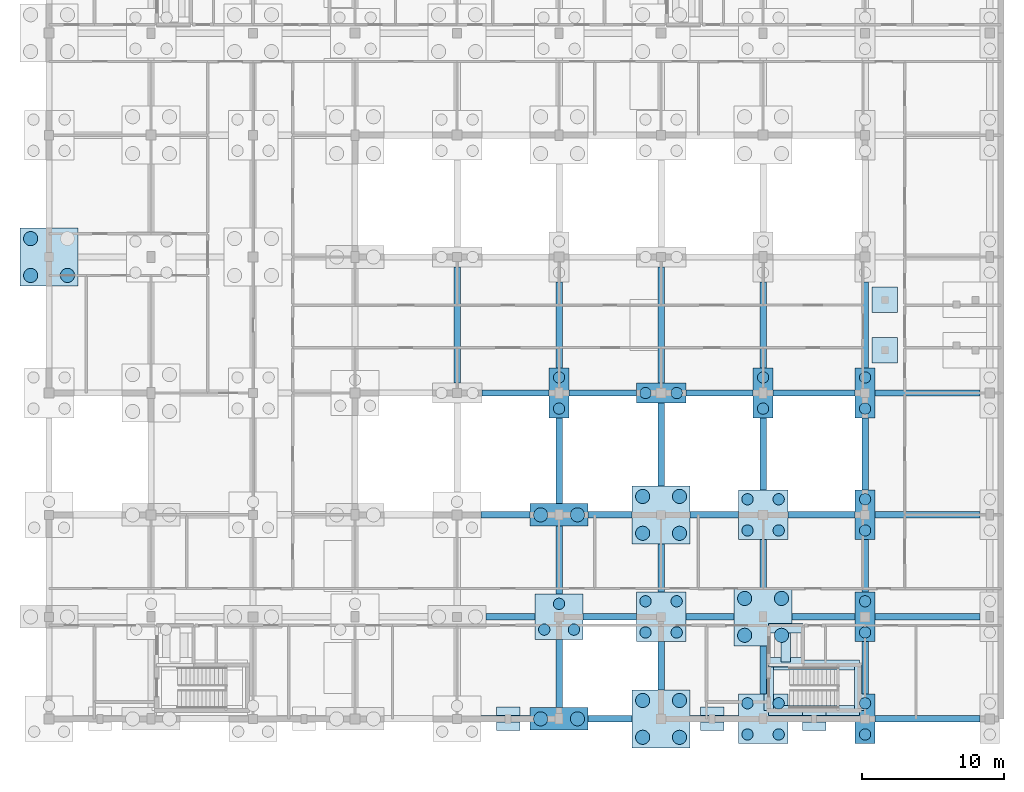
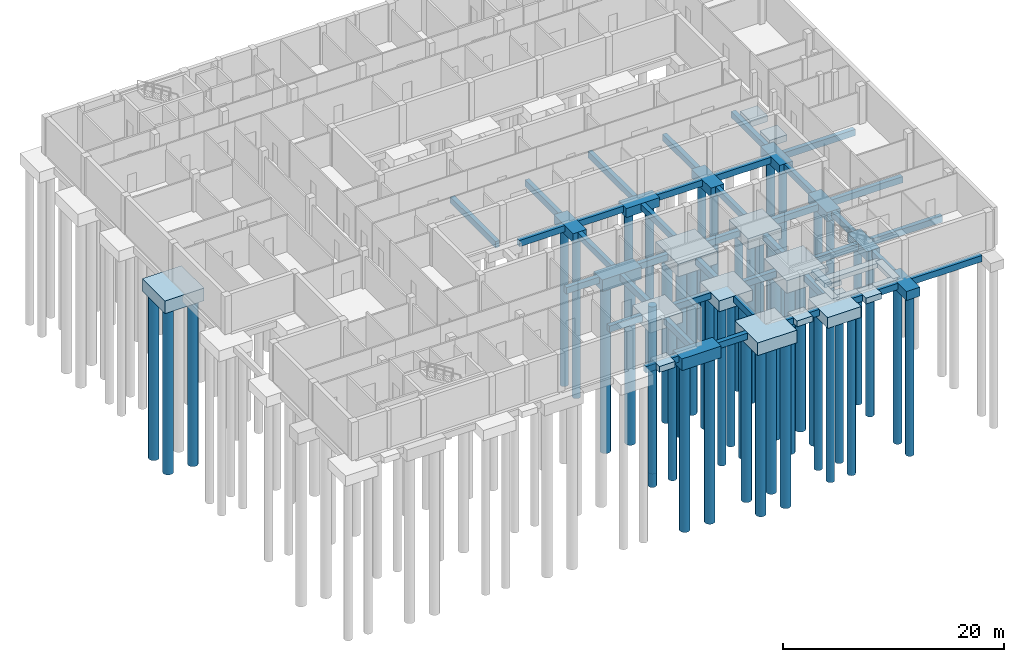
# One storey, part 2 of 17: 66 footings, 48 piles.
"""IFC4 building model written with IfcOpenShell, lengths in metres."""

from ifc_helpers import new_model, si_unit, direction, frame, origin, origin_2d, place, context, subcontext, project, spatial, rectangle, circle, extrude, material, layer, layer_set, material_profile, profile_set, type_object, element, save


model = new_model("IFC4")

# Units and contexts
model_context = context("Model", 3, precision=1e-05, world=origin(), true_north=direction((0.0, 1.0)))
body_context = subcontext(model_context, "Body", "Model", "MODEL_VIEW")
ifc_project = project(units=[si_unit("LENGTHUNIT", "METRE"), si_unit("AREAUNIT", "SQUARE_METRE"), si_unit("VOLUMEUNIT", "CUBIC_METRE"), si_unit("PLANEANGLEUNIT", "RADIAN"), si_unit("MASSUNIT", "GRAM", prefix="KILO")], contexts=[model_context])

# Site, building, storey
site_placement = place(None, origin())
site = spatial("IfcSite", under=ifc_project, at=site_placement, CompositionType="ELEMENT")
building_placement = place(site_placement, origin())
building = spatial("IfcBuilding", under=site, at=building_placement, Name="Hawrajan Terrace Health Centre", CompositionType="ELEMENT")
storey_placement = place(building_placement, frame((0.0, 0.0, -4.5)))
storey = spatial("IfcBuildingStorey", under=building, at=storey_placement, Name="B1", CompositionType="ELEMENT", Elevation=-4.5)

# Piles
ifc_material = material(Name="Concrete C40/50", Category="concrete")
ifc_material_profile_1 = material_profile(ifc_material, circle(Radius=0.5, at=origin_2d()), Name="BP 1000")
ifc_profile_set_1 = profile_set([ifc_material_profile_1], Name="Concrete C40/50")
pile_type_1 = type_object("IfcPileType", Name="BoredPile_1000", PredefinedType="BORED", material=ifc_profile_set_1)
for number, where, z_axis, x_axis, name in (
    (1, (3.300048828125, 35.5, -0.550048828125), (0.0, 0.0, -1.0), (1.0, 0.0, 0.0), "Bored pile P-013"),
    (2, (5.89990234375, 35.5, -0.550048828125), (0.0, 0.0, -1.0), (1.0, 0.0, 0.0), "Bored pile P-014"),
    (3, (3.300048828125, 38.10009765625, -0.550048828125), (0.0, 0.0, -1.0), (1.0, 0.0, 0.0), "Bored pile P-015"),
    (4, (39.300048828125, 4.199951171875, -0.550048828125), (0.0, 0.0, -1.0), (1.0, 0.0, 0.0), "Bored pile P-132"),
    (5, (41.89990234375, 4.199951171875, -0.550048828125), (0.0, 0.0, -1.0), (1.0, 0.0, 0.0), "Bored pile P-133"),
    (6, (39.300048828125, 18.60009765625, -0.550048828125), (0.0, 0.0, -1.0), (1.0, 0.0, 0.0), "Bored pile P-137"),
    (7, (41.89990234375, 18.60009765625, -0.550048828125), (0.0, 0.0, -1.0), (1.0, 0.0, 0.0), "Bored pile P-138"),
    (8, (46.5, 2.89990234375, -0.550048828125), (0.0, 0.0, -1.0), (1.0, 0.0, 0.0), "Bored pile P-155"),
    (9, (49.10009765625, 2.89990234375, -0.550048828125), (0.0, 0.0, -1.0), (1.0, 0.0, 0.0), "Bored pile P-156"),
    (10, (46.5, 5.5, -0.550048828125), (0.0, 0.0, -1.0), (1.0, 0.0, 0.0), "Bored pile P-157"),
    (11, (49.10009765625, 5.5, -0.550048828125), (0.0, 0.0, -1.0), (1.0, 0.0, 0.0), "Bored pile P-158"),
    (12, (46.5, 17.300048828125, -0.550048828125), (0.0, 0.0, -1.0), (1.0, 0.0, 0.0), "Bored pile P-163"),
    (13, (49.10009765625, 17.300048828125, -0.550048828125), (0.0, 0.0, -1.0), (1.0, 0.0, 0.0), "Bored pile P-164"),
    (14, (46.5, 19.89990234375, -0.550048828125), (0.0, 0.0, -1.0), (1.0, 0.0, 0.0), "Bored pile P-165"),
    (15, (49.10009765625, 19.89990234375, -0.550048828125), (0.0, 0.0, -1.0), (1.0, 0.0, 0.0), "Bored pile P-166"),
    (16, (53.699951171875, 10.10009765625, -0.550048828125), (0.0, 0.0, -1.0), (1.0, 0.0, 0.0), "Bored pile P-187"),
    (17, (56.300048828125, 10.10009765625, -0.550048828125), (0.0, 0.0, -1.0), (1.0, 0.0, 0.0), "Bored pile P-188"),
    (18, (53.699951171875, 12.699951171875, -0.550048828125), (0.0, 0.0, -1.0), (1.0, 0.0, 0.0), "Bored pile P-189"),
    (19, (56.300048828125, 12.699951171875, -0.550048828125), (0.0, 0.0, -1.0), (1.0, 0.0, 0.0), "Bored pile P-190"),
):
    element("IfcPile", number, at=place(storey_placement, frame(where, z_axis=z_axis, x_axis=x_axis)), inside=storey, type_object=pile_type_1, Name=name, PredefinedType="BORED", context=body_context, shape_type="SweptSolid", body=[
        extrude(circle(Radius=0.5, at=origin_2d()), origin(), (0.0, 0.0, 1.0), 19.5),
    ])
ifc_material_profile_2 = material_profile(ifc_material, circle(Radius=0.39990234375, at=origin_2d()), Name="BP 800")
ifc_profile_set_2 = profile_set([ifc_material_profile_2], Name="Concrete C40/50")
pile_type_2 = type_object("IfcPileType", Name="BoredPile_800", PredefinedType="BORED", material=ifc_profile_set_2)
for number, where, z_axis, x_axis, name in (
    (20, (39.550048828125, 10.5, -0.550048828125), (0.0, 0.0, -1.0), (1.0, 0.0, 0.0), "Bored pile P-134"),
    (21, (41.64990234375, 10.5, -0.550048828125), (0.0, 0.0, -1.0), (1.0, 0.0, 0.0), "Bored pile P-135"),
    (22, (40.60009765625, 12.320068359375, -0.550048828125), (0.0, 0.0, -1.0), (1.0, 0.0, 0.0), "Bored pile P-136"),
    (23, (40.60009765625, 26.10009765625, -0.550048828125), (0.0, 0.0, -1.0), (1.0, 0.0, 0.0), "Bored pile P-139"),
    (24, (40.60009765625, 28.300048828125, -0.550048828125), (0.0, 0.0, -1.0), (1.0, 0.0, 0.0), "Bored pile P-140"),
    (25, (46.699951171875, 10.300048828125, -0.550048828125), (0.0, 0.0, -1.0), (1.0, 0.0, 0.0), "Bored pile P-159"),
    (26, (48.89990234375, 10.300048828125, -0.550048828125), (0.0, 0.0, -1.0), (1.0, 0.0, 0.0), "Bored pile P-160"),
    (27, (46.699951171875, 12.5, -0.550048828125), (0.0, 0.0, -1.0), (1.0, 0.0, 0.0), "Bored pile P-161"),
    (28, (48.89990234375, 12.5, -0.550048828125), (0.0, 0.0, -1.0), (1.0, 0.0, 0.0), "Bored pile P-162"),
    (29, (46.699951171875, 27.199951171875, -0.550048828125), (0.0, 0.0, -1.0), (1.0, 0.0, 0.0), "Bored pile P-167"),
    (30, (48.89990234375, 27.199951171875, -0.550048828125), (0.0, 0.0, -1.0), (1.0, 0.0, 0.0), "Bored pile P-168"),
    (31, (53.89990234375, 3.10009765625, -0.550048828125), (0.0, 0.0, -1.0), (1.0, 0.0, 0.0), "Bored pile P-183"),
    (32, (56.10009765625, 3.10009765625, -0.550048828125), (0.0, 0.0, -1.0), (1.0, 0.0, 0.0), "Bored pile P-184"),
    (33, (53.89990234375, 5.300048828125, -0.550048828125), (0.0, 0.0, -1.0), (1.0, 0.0, 0.0), "Bored pile P-185"),
    (34, (56.10009765625, 5.300048828125, -0.550048828125), (0.0, 0.0, -1.0), (1.0, 0.0, 0.0), "Bored pile P-186"),
    (35, (53.89990234375, 17.5, -0.550048828125), (0.0, 0.0, -1.0), (1.0, 0.0, 0.0), "Bored pile P-191"),
    (36, (56.10009765625, 17.5, -0.550048828125), (0.0, 0.0, -1.0), (1.0, 0.0, 0.0), "Bored pile P-192"),
    (37, (53.89990234375, 19.699951171875, -0.550048828125), (0.0, 0.0, -1.0), (1.0, 0.0, 0.0), "Bored pile P-193"),
    (38, (56.10009765625, 19.699951171875, -0.550048828125), (0.0, 0.0, -1.0), (1.0, 0.0, 0.0), "Bored pile P-194"),
    (39, (55.0, 26.10009765625, -0.550048828125), (0.0, 0.0, -1.0), (1.0, 0.0, 0.0), "Bored pile P-195"),
    (40, (55.0, 28.300048828125, -0.550048828125), (0.0, 0.0, -1.0), (1.0, 0.0, 0.0), "Bored pile P-196"),
    (41, (62.199951171875, 3.10009765625, -0.550048828125), (0.0, 0.0, -1.0), (1.0, 0.0, 0.0), "Bored pile P-211"),
    (42, (62.199951171875, 5.300048828125, -0.550048828125), (0.0, 0.0, -1.0), (1.0, 0.0, 0.0), "Bored pile P-212"),
    (43, (62.199951171875, 10.300048828125, -0.550048828125), (0.0, 0.0, -1.0), (1.0, 0.0, 0.0), "Bored pile P-213"),
    (44, (62.199951171875, 12.5, -0.550048828125), (0.0, 0.0, -1.0), (1.0, 0.0, 0.0), "Bored pile P-214"),
    (45, (62.199951171875, 17.5, -0.550048828125), (0.0, 0.0, -1.0), (1.0, 0.0, 0.0), "Bored pile P-215"),
    (46, (62.199951171875, 19.699951171875, -0.550048828125), (0.0, 0.0, -1.0), (1.0, 0.0, 0.0), "Bored pile P-216"),
    (47, (62.199951171875, 26.10009765625, -0.550048828125), (0.0, 0.0, -1.0), (1.0, 0.0, 0.0), "Bored pile P-217"),
    (48, (62.199951171875, 28.300048828125, -0.550048828125), (0.0, 0.0, -1.0), (1.0, 0.0, 0.0), "Bored pile P-218"),
):
    element("IfcPile", number, at=place(storey_placement, frame(where, z_axis=z_axis, x_axis=x_axis)), inside=storey, type_object=pile_type_2, Name=name, PredefinedType="BORED", context=body_context, shape_type="SweptSolid", body=[
        extrude(circle(Radius=0.39990234375, at=origin_2d()), origin(), (0.0, 0.0, 1.0), 18.5),
    ])

# Footings
ifc_material_profile_3 = material_profile(ifc_material, rectangle(XDim=0.449951171875, YDim=0.699951171875, at=origin_2d()), Name="RC BM 450x700")
ifc_profile_set_3 = profile_set([ifc_material_profile_3], Name="Concrete C40/50")
footing_type_1 = type_object("IfcFootingType", Name="GroundBeam_450x700", PredefinedType="FOOTING_BEAM", material=ifc_profile_set_3)
for number, where, z_axis, x_axis, name in (
    (49, (35.10009765625, 4.199951171875, -0.800048828125), (1.0, 0.0, 0.0), (0.0, 1.0, 0.0), "Ground tie beam GB-X-W-05-1"),
    (50, (35.449951171875, 11.39990234375, -0.800048828125), (1.0, 0.0, 0.0), (0.0, 1.0, 0.0), "Ground tie beam GB-X-W-05-2"),
    (51, (35.10009765625, 18.60009765625, -0.800048828125), (1.0, 0.0, 0.0), (0.0, 1.0, 0.0), "Ground tie beam GB-X-W-05-3"),
):
    element("IfcFooting", number, at=place(storey_placement, frame(where, z_axis=z_axis, x_axis=x_axis)), inside=storey, type_object=footing_type_1, Name=name, PredefinedType="FOOTING_BEAM", context=body_context, shape_type="SweptSolid", body=[
        extrude(rectangle(XDim=0.449951171875, YDim=0.699951171875, at=origin_2d()), origin(), (0.0, 0.0, 1.0), 3.449951171875),
    ])
footing_1_placement = place(storey_placement, frame((35.14990234375, 27.199951171875, -0.800048828125), z_axis=(1.0, 0.0, 0.0), x_axis=(0.0, 1.0, 0.0)))
element("IfcFooting", 52, at=footing_1_placement, inside=storey, type_object=footing_type_1, Name="Ground tie beam GB-X-W-05-4", PredefinedType="FOOTING_BEAM", context=body_context, shape_type="SweptSolid", body=[
    extrude(rectangle(XDim=0.449951171875, YDim=0.699951171875, at=origin_2d()), origin(), (0.0, 0.0, 1.0), 4.75),
])
footing_2_placement = place(storey_placement, frame((33.39990234375, 27.89990234375, -0.800048828125), z_axis=(0.0, 1.0, 0.0), x_axis=(-1.0, 0.0, 0.0)))
element("IfcFooting", 53, at=footing_2_placement, inside=storey, type_object=footing_type_1, Name="Ground tie beam GB-Y-W-05-4", PredefinedType="FOOTING_BEAM", context=body_context, shape_type="SweptSolid", body=[
    extrude(rectangle(XDim=0.449951171875, YDim=0.699951171875, at=origin_2d()), origin(), (0.0, 0.0, 1.0), 8.2001953125),
])
footing_3_placement = place(storey_placement, frame((42.64990234375, 4.199951171875, -0.800048828125), z_axis=(1.0, 0.0, 0.0), x_axis=(0.0, 1.0, 0.0)))
element("IfcFooting", 54, at=footing_3_placement, inside=storey, type_object=footing_type_1, Name="Ground tie beam GB-X-W-06-1", PredefinedType="FOOTING_BEAM", context=body_context, shape_type="SweptSolid", body=[
    extrude(rectangle(XDim=0.449951171875, YDim=0.699951171875, at=origin_2d()), origin(), (0.0, 0.0, 1.0), 3.10009765625),
])
footing_4_placement = place(storey_placement, frame((40.60009765625, 5.0, -0.800048828125), z_axis=(0.0, 1.0, 0.0), x_axis=(-1.0, 0.0, 0.0)))
element("IfcFooting", 55, at=footing_4_placement, inside=storey, type_object=footing_type_1, Name="Ground tie beam GB-Y-W-06-1", PredefinedType="FOOTING_BEAM", context=body_context, shape_type="SweptSolid", body=[
    extrude(rectangle(XDim=0.449951171875, YDim=0.699951171875, at=origin_2d()), origin(), (0.0, 0.0, 1.0), 4.800048828125),
])
footing_5_placement = place(storey_placement, frame((42.300048828125, 11.39990234375, -0.800048828125), z_axis=(1.0, 0.0, 0.0), x_axis=(0.0, 1.0, 0.0)))
element("IfcFooting", 56, at=footing_5_placement, inside=storey, type_object=footing_type_1, Name="Ground tie beam GB-X-W-06-2", PredefinedType="FOOTING_BEAM", context=body_context, shape_type="SweptSolid", body=[
    extrude(rectangle(XDim=0.449951171875, YDim=0.699951171875, at=origin_2d()), origin(), (0.0, 0.0, 1.0), 3.75),
])
footing_6_placement = place(storey_placement, frame((40.60009765625, 13.0, -0.800048828125), z_axis=(0.0, 1.0, 0.0), x_axis=(-1.0, 0.0, 0.0)))
element("IfcFooting", 57, at=footing_6_placement, inside=storey, type_object=footing_type_1, Name="Ground tie beam GB-Y-W-06-2", PredefinedType="FOOTING_BEAM", context=body_context, shape_type="SweptSolid", body=[
    extrude(rectangle(XDim=0.449951171875, YDim=0.699951171875, at=origin_2d()), origin(), (0.0, 0.0, 1.0), 4.800048828125),
])
footing_7_placement = place(storey_placement, frame((42.64990234375, 18.60009765625, -0.800048828125), z_axis=(1.0, 0.0, 0.0), x_axis=(0.0, 1.0, 0.0)))
element("IfcFooting", 58, at=footing_7_placement, inside=storey, type_object=footing_type_1, Name="Ground tie beam GB-X-W-06-3", PredefinedType="FOOTING_BEAM", context=body_context, shape_type="SweptSolid", body=[
    extrude(rectangle(XDim=0.449951171875, YDim=0.699951171875, at=origin_2d()), origin(), (0.0, 0.0, 1.0), 3.10009765625),
])
footing_8_placement = place(storey_placement, frame((40.60009765625, 19.39990234375, -0.800048828125), z_axis=(0.0, 1.0, 0.0), x_axis=(-1.0, 0.0, 0.0)))
element("IfcFooting", 59, at=footing_8_placement, inside=storey, type_object=footing_type_1, Name="Ground tie beam GB-Y-W-06-3", PredefinedType="FOOTING_BEAM", context=body_context, shape_type="SweptSolid", body=[
    extrude(rectangle(XDim=0.449951171875, YDim=0.699951171875, at=origin_2d()), origin(), (0.0, 0.0, 1.0), 6.050048828125),
])
footing_9_placement = place(storey_placement, frame((41.300048828125, 27.199951171875, -0.800048828125), z_axis=(1.0, 0.0, 0.0), x_axis=(0.0, 1.0, 0.0)))
element("IfcFooting", 60, at=footing_9_placement, inside=storey, type_object=footing_type_1, Name="Ground tie beam GB-X-W-06-4", PredefinedType="FOOTING_BEAM", context=body_context, shape_type="SweptSolid", body=[
    extrude(rectangle(XDim=0.449951171875, YDim=0.699951171875, at=origin_2d()), origin(), (0.0, 0.0, 1.0), 4.75),
])
footing_10_placement = place(storey_placement, frame((40.60009765625, 28.949951171875, -0.800048828125), z_axis=(0.0, 1.0, 0.0), x_axis=(-1.0, 0.0, 0.0)))
element("IfcFooting", 61, at=footing_10_placement, inside=storey, type_object=footing_type_1, Name="Ground tie beam GB-Y-W-06-4", PredefinedType="FOOTING_BEAM", context=body_context, shape_type="SweptSolid", body=[
    extrude(rectangle(XDim=0.449951171875, YDim=0.699951171875, at=origin_2d()), origin(), (0.0, 0.0, 1.0), 6.10009765625),
])
for number, where, z_axis, x_axis, name in (
    (62, (49.85009765625, 4.199951171875, -0.800048828125), (1.0, 0.0, 0.0), (0.0, 1.0, 0.0), "Ground tie beam GB-X-W-07-1"),
    (63, (47.800048828125, 6.25, -0.800048828125), (0.0, 1.0, 0.0), (-1.0, 0.0, 0.0), "Ground tie beam GB-Y-W-07-1"),
    (64, (49.550048828125, 11.39990234375, -0.800048828125), (1.0, 0.0, 0.0), (0.0, 1.0, 0.0), "Ground tie beam GB-X-W-07-2"),
):
    element("IfcFooting", number, at=place(storey_placement, frame(where, z_axis=z_axis, x_axis=x_axis)), inside=storey, type_object=footing_type_1, Name=name, PredefinedType="FOOTING_BEAM", context=body_context, shape_type="SweptSolid", body=[
        extrude(rectangle(XDim=0.449951171875, YDim=0.699951171875, at=origin_2d()), origin(), (0.0, 0.0, 1.0), 3.39990234375),
    ])
footing_11_placement = place(storey_placement, frame((47.800048828125, 13.14990234375, -0.800048828125), z_axis=(0.0, 1.0, 0.0), x_axis=(-1.0, 0.0, 0.0)))
element("IfcFooting", 65, at=footing_11_placement, inside=storey, type_object=footing_type_1, Name="Ground tie beam GB-Y-W-07-2", PredefinedType="FOOTING_BEAM", context=body_context, shape_type="SweptSolid", body=[
    extrude(rectangle(XDim=0.449951171875, YDim=0.699951171875, at=origin_2d()), origin(), (0.0, 0.0, 1.0), 3.400146484375),
])
footing_12_placement = place(storey_placement, frame((49.85009765625, 18.60009765625, -0.800048828125), z_axis=(1.0, 0.0, 0.0), x_axis=(0.0, 1.0, 0.0)))
element("IfcFooting", 66, at=footing_12_placement, inside=storey, type_object=footing_type_1, Name="Ground tie beam GB-X-W-07-3", PredefinedType="FOOTING_BEAM", context=body_context, shape_type="SweptSolid", body=[
    extrude(rectangle(XDim=0.449951171875, YDim=0.699951171875, at=origin_2d()), origin(), (0.0, 0.0, 1.0), 3.39990234375),
])
footing_13_placement = place(storey_placement, frame((47.800048828125, 20.64990234375, -0.800048828125), z_axis=(0.0, 1.0, 0.0), x_axis=(-1.0, 0.0, 0.0)))
element("IfcFooting", 67, at=footing_13_placement, inside=storey, type_object=footing_type_1, Name="Ground tie beam GB-Y-W-07-3", PredefinedType="FOOTING_BEAM", context=body_context, shape_type="SweptSolid", body=[
    extrude(rectangle(XDim=0.449951171875, YDim=0.699951171875, at=origin_2d()), origin(), (0.0, 0.0, 1.0), 5.85009765625),
])
footing_14_placement = place(storey_placement, frame((49.550048828125, 27.199951171875, -0.800048828125), z_axis=(1.0, 0.0, 0.0), x_axis=(0.0, 1.0, 0.0)))
element("IfcFooting", 68, at=footing_14_placement, inside=storey, type_object=footing_type_1, Name="Ground tie beam GB-X-W-07-4", PredefinedType="FOOTING_BEAM", context=body_context, shape_type="SweptSolid", body=[
    extrude(rectangle(XDim=0.449951171875, YDim=0.699951171875, at=origin_2d()), origin(), (0.0, 0.0, 1.0), 4.75),
])
footing_15_placement = place(storey_placement, frame((47.800048828125, 27.89990234375, -0.800048828125), z_axis=(0.0, 1.0, 0.0), x_axis=(-1.0, 0.0, 0.0)))
element("IfcFooting", 69, at=footing_15_placement, inside=storey, type_object=footing_type_1, Name="Ground tie beam GB-Y-W-07-4", PredefinedType="FOOTING_BEAM", context=body_context, shape_type="SweptSolid", body=[
    extrude(rectangle(XDim=0.449951171875, YDim=0.699951171875, at=origin_2d()), origin(), (0.0, 0.0, 1.0), 8.2001953125),
])
footing_16_placement = place(storey_placement, frame((56.75, 4.199951171875, -0.800048828125), z_axis=(1.0, 0.0, 0.0), x_axis=(0.0, 1.0, 0.0)))
element("IfcFooting", 70, at=footing_16_placement, inside=storey, type_object=footing_type_1, Name="Ground tie beam GB-X-W-08-1", PredefinedType="FOOTING_BEAM", context=body_context, shape_type="SweptSolid", body=[
    extrude(rectangle(XDim=0.449951171875, YDim=0.699951171875, at=origin_2d()), origin(), (0.0, 0.0, 1.0), 4.75),
])
footing_17_placement = place(storey_placement, frame((55.0, 5.949951171875, -0.800048828125), z_axis=(0.0, 1.0, 0.0), x_axis=(-1.0, 0.0, 0.0)))
element("IfcFooting", 71, at=footing_17_placement, inside=storey, type_object=footing_type_1, Name="Ground tie beam GB-Y-W-08-1", PredefinedType="FOOTING_BEAM", context=body_context, shape_type="SweptSolid", body=[
    extrude(rectangle(XDim=0.449951171875, YDim=0.699951171875, at=origin_2d()), origin(), (0.0, 0.0, 1.0), 3.400146484375),
])
footing_18_placement = place(storey_placement, frame((57.050048828125, 11.39990234375, -0.800048828125), z_axis=(1.0, 0.0, 0.0), x_axis=(0.0, 1.0, 0.0)))
element("IfcFooting", 72, at=footing_18_placement, inside=storey, type_object=footing_type_1, Name="Ground tie beam GB-X-W-08-2", PredefinedType="FOOTING_BEAM", context=body_context, shape_type="SweptSolid", body=[
    extrude(rectangle(XDim=0.449951171875, YDim=0.699951171875, at=origin_2d()), origin(), (0.0, 0.0, 1.0), 4.449951171875),
])
footing_19_placement = place(storey_placement, frame((55.0, 13.449951171875, -0.800048828125), z_axis=(0.0, 1.0, 0.0), x_axis=(-1.0, 0.0, 0.0)))
element("IfcFooting", 73, at=footing_19_placement, inside=storey, type_object=footing_type_1, Name="Ground tie beam GB-Y-W-08-2", PredefinedType="FOOTING_BEAM", context=body_context, shape_type="SweptSolid", body=[
    extrude(rectangle(XDim=0.449951171875, YDim=0.699951171875, at=origin_2d()), origin(), (0.0, 0.0, 1.0), 3.400146484375),
])
footing_20_placement = place(storey_placement, frame((56.75, 18.60009765625, -0.800048828125), z_axis=(1.0, 0.0, 0.0), x_axis=(0.0, 1.0, 0.0)))
element("IfcFooting", 74, at=footing_20_placement, inside=storey, type_object=footing_type_1, Name="Ground tie beam GB-X-W-08-3", PredefinedType="FOOTING_BEAM", context=body_context, shape_type="SweptSolid", body=[
    extrude(rectangle(XDim=0.449951171875, YDim=0.699951171875, at=origin_2d()), origin(), (0.0, 0.0, 1.0), 4.75),
])
footing_21_placement = place(storey_placement, frame((55.0, 20.35009765625, -0.800048828125), z_axis=(0.0, 1.0, 0.0), x_axis=(-1.0, 0.0, 0.0)))
element("IfcFooting", 75, at=footing_21_placement, inside=storey, type_object=footing_type_1, Name="Ground tie beam GB-Y-W-08-3", PredefinedType="FOOTING_BEAM", context=body_context, shape_type="SweptSolid", body=[
    extrude(rectangle(XDim=0.449951171875, YDim=0.699951171875, at=origin_2d()), origin(), (0.0, 0.0, 1.0), 5.099853515625),
])
footing_22_placement = place(storey_placement, frame((55.699951171875, 27.199951171875, -0.800048828125), z_axis=(1.0, 0.0, 0.0), x_axis=(0.0, 1.0, 0.0)))
element("IfcFooting", 76, at=footing_22_placement, inside=storey, type_object=footing_type_1, Name="Ground tie beam GB-X-W-08-4", PredefinedType="FOOTING_BEAM", context=body_context, shape_type="SweptSolid", body=[
    extrude(rectangle(XDim=0.449951171875, YDim=0.699951171875, at=origin_2d()), origin(), (0.0, 0.0, 1.0), 5.800048828125),
])
footing_23_placement = place(storey_placement, frame((55.0, 28.949951171875, -0.800048828125), z_axis=(0.0, 1.0, 0.0), x_axis=(-1.0, 0.0, 0.0)))
element("IfcFooting", 77, at=footing_23_placement, inside=storey, type_object=footing_type_1, Name="Ground tie beam GB-Y-W-08-4", PredefinedType="FOOTING_BEAM", context=body_context, shape_type="SweptSolid", body=[
    extrude(rectangle(XDim=0.449951171875, YDim=0.699951171875, at=origin_2d()), origin(), (0.0, 0.0, 1.0), 6.10009765625),
])
footing_24_placement = place(storey_placement, frame((62.89990234375, 4.199951171875, -0.800048828125), z_axis=(1.0, 0.0, 0.0), x_axis=(0.0, 1.0, 0.0)))
element("IfcFooting", 78, at=footing_24_placement, inside=storey, type_object=footing_type_1, Name="Ground tie beam GB-X-W-09-1", PredefinedType="FOOTING_BEAM", context=body_context, shape_type="SweptSolid", body=[
    extrude(rectangle(XDim=0.449951171875, YDim=0.699951171875, at=origin_2d()), origin(), (0.0, 0.0, 1.0), 7.400146484375),
])
footing_25_placement = place(storey_placement, frame((62.199951171875, 5.949951171875, -0.800048828125), z_axis=(0.0, 1.0, 0.0), x_axis=(-1.0, 0.0, 0.0)))
element("IfcFooting", 79, at=footing_25_placement, inside=storey, type_object=footing_type_1, Name="Ground tie beam GB-Y-W-09-1", PredefinedType="FOOTING_BEAM", context=body_context, shape_type="SweptSolid", body=[
    extrude(rectangle(XDim=0.449951171875, YDim=0.699951171875, at=origin_2d()), origin(), (0.0, 0.0, 1.0), 3.699951171875),
])
footing_26_placement = place(storey_placement, frame((62.89990234375, 11.39990234375, -0.800048828125), z_axis=(1.0, 0.0, 0.0), x_axis=(0.0, 1.0, 0.0)))
element("IfcFooting", 80, at=footing_26_placement, inside=storey, type_object=footing_type_1, Name="Ground tie beam GB-X-W-09-2", PredefinedType="FOOTING_BEAM", context=body_context, shape_type="SweptSolid", body=[
    extrude(rectangle(XDim=0.449951171875, YDim=0.699951171875, at=origin_2d()), origin(), (0.0, 0.0, 1.0), 7.400146484375),
])
footing_27_placement = place(storey_placement, frame((62.199951171875, 13.14990234375, -0.800048828125), z_axis=(0.0, 1.0, 0.0), x_axis=(-1.0, 0.0, 0.0)))
element("IfcFooting", 81, at=footing_27_placement, inside=storey, type_object=footing_type_1, Name="Ground tie beam GB-Y-W-09-2", PredefinedType="FOOTING_BEAM", context=body_context, shape_type="SweptSolid", body=[
    extrude(rectangle(XDim=0.449951171875, YDim=0.699951171875, at=origin_2d()), origin(), (0.0, 0.0, 1.0), 3.7001953125),
])
footing_28_placement = place(storey_placement, frame((62.89990234375, 18.60009765625, -0.800048828125), z_axis=(1.0, 0.0, 0.0), x_axis=(0.0, 1.0, 0.0)))
element("IfcFooting", 82, at=footing_28_placement, inside=storey, type_object=footing_type_1, Name="Ground tie beam GB-X-W-09-3", PredefinedType="FOOTING_BEAM", context=body_context, shape_type="SweptSolid", body=[
    extrude(rectangle(XDim=0.449951171875, YDim=0.699951171875, at=origin_2d()), origin(), (0.0, 0.0, 1.0), 7.400146484375),
])
footing_29_placement = place(storey_placement, frame((62.199951171875, 20.35009765625, -0.800048828125), z_axis=(0.0, 1.0, 0.0), x_axis=(-1.0, 0.0, 0.0)))
element("IfcFooting", 83, at=footing_29_placement, inside=storey, type_object=footing_type_1, Name="Ground tie beam GB-Y-W-09-3", PredefinedType="FOOTING_BEAM", context=body_context, shape_type="SweptSolid", body=[
    extrude(rectangle(XDim=0.449951171875, YDim=0.699951171875, at=origin_2d()), origin(), (0.0, 0.0, 1.0), 5.099853515625),
])
footing_30_placement = place(storey_placement, frame((62.89990234375, 27.199951171875, -0.800048828125), z_axis=(1.0, 0.0, 0.0), x_axis=(0.0, 1.0, 0.0)))
element("IfcFooting", 84, at=footing_30_placement, inside=storey, type_object=footing_type_1, Name="Ground tie beam GB-X-W-09-4", PredefinedType="FOOTING_BEAM", context=body_context, shape_type="SweptSolid", body=[
    extrude(rectangle(XDim=0.449951171875, YDim=0.699951171875, at=origin_2d()), origin(), (0.0, 0.0, 1.0), 7.400146484375),
])
footing_31_placement = place(storey_placement, frame((62.199951171875, 28.949951171875, -0.800048828125), z_axis=(0.0, 1.0, 0.0), x_axis=(-1.0, 0.0, 0.0)))
element("IfcFooting", 85, at=footing_31_placement, inside=storey, type_object=footing_type_1, Name="Ground tie beam GB-Y-W-09-4", PredefinedType="FOOTING_BEAM", context=body_context, shape_type="SweptSolid", body=[
    extrude(rectangle(XDim=0.449951171875, YDim=0.699951171875, at=origin_2d()), origin(), (0.0, 0.0, 1.0), 6.10009765625),
])
ifc_layer_1 = layer(ifc_material, 0.64990234375)
ifc_layer_set_1 = layer_set([ifc_layer_1], Name="Concrete C40/50")
footing_type_2 = type_object("IfcFootingType", Name="PadFooting_1650", PredefinedType="PAD_FOOTING", material=ifc_layer_set_1)
for number, where, z_axis, x_axis, name in (
    (86, (37.0, 4.199951171875, -1.099853515625), (0.0, 0.0, 1.0), (1.0, 0.0, 0.0), "Pilaster pad footing W-05-Y1"),
    (87, (51.39990234375, 4.199951171875, -1.099853515625), (0.0, 0.0, 1.0), (1.0, 0.0, 0.0), "Pilaster pad footing W-07-Y1"),
    (88, (58.60009765625, 4.199951171875, -1.099853515625), (0.0, 0.0, 1.0), (1.0, 0.0, 0.0), "Pilaster pad footing W-08-Y1"),
):
    element("IfcFooting", number, at=place(storey_placement, frame(where, z_axis=z_axis, x_axis=x_axis)), inside=storey, type_object=footing_type_2, Name=name, PredefinedType="PAD_FOOTING", context=body_context, shape_type="SweptSolid", body=[
        extrude(rectangle(XDim=1.64990234375, YDim=1.64990234375, at=origin_2d()), origin(), (0.0, 0.0, 1.0), 0.64990234375),
    ])
ifc_layer_2 = layer(ifc_material, 0.699951171875)
ifc_layer_set_2 = layer_set([ifc_layer_2], Name="Concrete C40/50")
footing_type_3 = type_object("IfcFootingType", Name="PadFooting_1800", PredefinedType="PAD_FOOTING", material=ifc_layer_set_2)
for number, where, z_axis, x_axis, name in (
    (89, (63.60009765625, 30.219970703125, -1.14990234375), (0.0, 0.0, 1.0), (1.0, 0.0, 0.0), "Feature stair pad footing 1"),
    (90, (63.60009765625, 33.780029296875, -1.14990234375), (0.0, 0.0, 1.0), (1.0, 0.0, 0.0), "Feature stair pad footing 4"),
):
    element("IfcFooting", number, at=place(storey_placement, frame(where, z_axis=z_axis, x_axis=x_axis)), inside=storey, type_object=footing_type_3, Name=name, PredefinedType="PAD_FOOTING", context=body_context, shape_type="SweptSolid", body=[
        extrude(rectangle(XDim=1.800048828125, YDim=1.800048828125, at=origin_2d()), origin(), (0.0, 0.0, 1.0), 0.699951171875),
    ])
ifc_layer_3 = layer(ifc_material, 1.300048828125)
ifc_layer_set_3 = layer_set([ifc_layer_3], Name="Concrete C40/50")
footing_type_4 = type_object("IfcFootingType", Name="PileCap_2P1000_EW", PredefinedType="PILE_CAP", material=ifc_layer_set_3)
for number, where, z_axis, x_axis, name in (
    (91, (40.60009765625, 4.199951171875, -1.75), (0.0, 0.0, 1.0), (1.0, 0.0, 0.0), "Foundation FT-W-X06-Y1"),
    (92, (40.60009765625, 18.60009765625, -1.75), (0.0, 0.0, 1.0), (1.0, 0.0, 0.0), "Foundation FT-W-X06-Y3"),
):
    element("IfcFooting", number, at=place(storey_placement, frame(where, z_axis=z_axis, x_axis=x_axis)), inside=storey, type_object=footing_type_4, Name=name, PredefinedType="PILE_CAP", context=body_context, shape_type="SweptSolid", body=[
        extrude(rectangle(XDim=4.10009765625, YDim=1.60009765625, at=origin_2d()), origin(), (0.0, 0.0, 1.0), 1.300048828125),
    ])
ifc_layer_4 = layer(ifc_material, 1.0)
ifc_layer_set_4 = layer_set([ifc_layer_4], Name="Concrete C40/50")
footing_type_5 = type_object("IfcFootingType", Name="PileCap_2P800_EW", PredefinedType="PILE_CAP", material=ifc_layer_set_4)
footing_32_placement = place(storey_placement, frame((47.800048828125, 27.199951171875, -1.449951171875), z_axis=(0.0, 0.0, 1.0), x_axis=(1.0, 0.0, 0.0)))
element("IfcFooting", 93, at=footing_32_placement, inside=storey, type_object=footing_type_5, Name="Foundation FT-W-X07-Y4", PredefinedType="PILE_CAP", context=body_context, shape_type="SweptSolid", body=[
    extrude(rectangle(XDim=3.5, YDim=1.39990234375, at=origin_2d()), origin(), (0.0, 0.0, 1.0), 1.0),
])
ifc_layer_5 = layer(ifc_material, 1.0)
ifc_layer_set_5 = layer_set([ifc_layer_5], Name="Concrete C40/50")
footing_type_6 = type_object("IfcFootingType", Name="PileCap_2P800_NS", PredefinedType="PILE_CAP", material=ifc_layer_set_5)
for number, where, z_axis, x_axis, name in (
    (94, (40.60009765625, 27.199951171875, -1.449951171875), (0.0, 0.0, 1.0), (1.0, 0.0, 0.0), "Foundation FT-W-X06-Y4"),
    (95, (55.0, 27.199951171875, -1.449951171875), (0.0, 0.0, 1.0), (1.0, 0.0, 0.0), "Foundation FT-W-X08-Y4"),
    (96, (62.199951171875, 4.199951171875, -1.449951171875), (0.0, 0.0, 1.0), (1.0, 0.0, 0.0), "Foundation FT-W-X09-Y1"),
    (97, (62.199951171875, 11.39990234375, -1.449951171875), (0.0, 0.0, 1.0), (1.0, 0.0, 0.0), "Foundation FT-W-X09-Y2"),
    (98, (62.199951171875, 18.60009765625, -1.449951171875), (0.0, 0.0, 1.0), (1.0, 0.0, 0.0), "Foundation FT-W-X09-Y3"),
    (99, (62.199951171875, 27.199951171875, -1.449951171875), (0.0, 0.0, 1.0), (1.0, 0.0, 0.0), "Foundation FT-W-X09-Y4"),
):
    element("IfcFooting", number, at=place(storey_placement, frame(where, z_axis=z_axis, x_axis=x_axis)), inside=storey, type_object=footing_type_6, Name=name, PredefinedType="PILE_CAP", context=body_context, shape_type="SweptSolid", body=[
        extrude(rectangle(XDim=1.39990234375, YDim=3.5, at=origin_2d()), origin(), (0.0, 0.0, 1.0), 1.0),
    ])
ifc_layer_6 = layer(ifc_material, 1.14990234375)
ifc_layer_set_6 = layer_set([ifc_layer_6], Name="Concrete C40/50")
footing_type_7 = type_object("IfcFootingType", Name="PileCap_3P800", PredefinedType="PILE_CAP", material=ifc_layer_set_6)
footing_33_placement = place(storey_placement, frame((40.60009765625, 11.39990234375, -1.599853515625), z_axis=(0.0, 0.0, 1.0), x_axis=(1.0, 0.0, 0.0)))
element("IfcFooting", 100, at=footing_33_placement, inside=storey, type_object=footing_type_7, Name="Foundation FT-W-X06-Y2", PredefinedType="PILE_CAP", context=body_context, shape_type="SweptSolid", body=[
    extrude(rectangle(XDim=3.39990234375, YDim=3.199951171875, at=origin_2d()), origin(), (0.0, 0.0, 1.0), 1.14990234375),
])
ifc_layer_7 = layer(ifc_material, 1.39990234375)
ifc_layer_set_7 = layer_set([ifc_layer_7], Name="Concrete C40/50")
footing_type_8 = type_object("IfcFootingType", Name="PileCap_4P1000", PredefinedType="PILE_CAP", material=ifc_layer_set_7)
for number, where, z_axis, x_axis, name in (
    (101, (4.60009765625, 36.800048828125, -1.849853515625), (0.0, 0.0, 1.0), (1.0, 0.0, 0.0), "Foundation FT-W-X01-Y5"),
    (102, (47.800048828125, 4.199951171875, -1.849853515625), (0.0, 0.0, 1.0), (1.0, 0.0, 0.0), "Foundation FT-W-X07-Y1"),
    (103, (47.800048828125, 18.60009765625, -1.849853515625), (0.0, 0.0, 1.0), (1.0, 0.0, 0.0), "Foundation FT-W-X07-Y3"),
    (104, (55.0, 11.39990234375, -1.849853515625), (0.0, 0.0, 1.0), (1.0, 0.0, 0.0), "Foundation FT-W-X08-Y2"),
):
    element("IfcFooting", number, at=place(storey_placement, frame(where, z_axis=z_axis, x_axis=x_axis)), inside=storey, type_object=footing_type_8, Name=name, PredefinedType="PILE_CAP", context=body_context, shape_type="SweptSolid", body=[
        extrude(rectangle(XDim=4.10009765625, YDim=4.10009765625, at=origin_2d()), origin(), (0.0, 0.0, 1.0), 1.39990234375),
    ])
ifc_layer_8 = layer(ifc_material, 1.199951171875)
ifc_layer_set_8 = layer_set([ifc_layer_8], Name="Concrete C40/50")
footing_type_9 = type_object("IfcFootingType", Name="PileCap_4P800", PredefinedType="PILE_CAP", material=ifc_layer_set_8)
for number, where, z_axis, x_axis, name in (
    (105, (47.800048828125, 11.39990234375, -1.64990234375), (0.0, 0.0, 1.0), (1.0, 0.0, 0.0), "Foundation FT-W-X07-Y2"),
    (106, (55.0, 4.199951171875, -1.64990234375), (0.0, 0.0, 1.0), (1.0, 0.0, 0.0), "Foundation FT-W-X08-Y1"),
    (107, (55.0, 18.60009765625, -1.64990234375), (0.0, 0.0, 1.0), (1.0, 0.0, 0.0), "Foundation FT-W-X08-Y3"),
):
    element("IfcFooting", number, at=place(storey_placement, frame(where, z_axis=z_axis, x_axis=x_axis)), inside=storey, type_object=footing_type_9, Name=name, PredefinedType="PILE_CAP", context=body_context, shape_type="SweptSolid", body=[
        extrude(rectangle(XDim=3.5, YDim=3.5, at=origin_2d()), origin(), (0.0, 0.0, 1.0), 1.199951171875),
    ])
ifc_material_profile_4 = material_profile(ifc_material, rectangle(XDim=0.699951171875, YDim=0.5, at=origin_2d()), Name="RC STRIP 700x500")
ifc_profile_set_4 = profile_set([ifc_material_profile_4], Name="Concrete C40/50")
footing_type_10 = type_object("IfcFootingType", Name="StripFooting_700x500", PredefinedType="STRIP_FOOTING", material=ifc_profile_set_4)
for number, where, z_axis, x_axis, name in (
    (108, (55.39990234375, 4.800048828125, -0.699951171875), (1.0, 0.0, 0.0), (0.0, 1.0, 0.0), "Stair shaft strip footing C4-S"),
    (109, (55.39990234375, 8.0, -0.699951171875), (1.0, 0.0, 0.0), (0.0, 1.0, 0.0), "Stair shaft strip footing C4-N"),
):
    element("IfcFooting", number, at=place(storey_placement, frame(where, z_axis=z_axis, x_axis=x_axis)), inside=storey, type_object=footing_type_10, Name=name, PredefinedType="STRIP_FOOTING", context=body_context, shape_type="SweptSolid", body=[
        extrude(rectangle(XDim=0.699951171875, YDim=0.5, at=origin_2d()), origin(), (0.0, 0.0, 1.0), 6.400146484375),
    ])
for number, where, z_axis, x_axis, name in (
    (110, (55.39990234375, 4.800048828125, -0.699951171875), (0.0, 1.0, 0.0), (-1.0, 0.0, 0.0), "Stair shaft strip footing C4-W"),
    (111, (61.800048828125, 4.800048828125, -0.699951171875), (0.0, 1.0, 0.0), (-1.0, 0.0, 0.0), "Stair shaft strip footing C4-E"),
):
    element("IfcFooting", number, at=place(storey_placement, frame(where, z_axis=z_axis, x_axis=x_axis)), inside=storey, type_object=footing_type_10, Name=name, PredefinedType="STRIP_FOOTING", context=body_context, shape_type="SweptSolid", body=[
        extrude(rectangle(XDim=0.699951171875, YDim=0.5, at=origin_2d()), origin(), (0.0, 0.0, 1.0), 3.199951171875),
    ])
for number, where, z_axis, x_axis, name in (
    (112, (55.39990234375, 8.199951171875, -1.449951171875), (1.0, 0.0, 0.0), (0.0, 1.0, 0.0), "Lift pit strip footing LC-05-1"),
    (113, (55.39990234375, 10.60009765625, -1.449951171875), (1.0, 0.0, 0.0), (0.0, 1.0, 0.0), "Lift pit strip footing LC-05-2"),
    (114, (56.60009765625, 8.199951171875, -1.449951171875), (0.0, 1.0, 0.0), (-1.0, 0.0, 0.0), "Lift pit strip footing LC-05-3"),
):
    element("IfcFooting", number, at=place(storey_placement, frame(where, z_axis=z_axis, x_axis=x_axis)), inside=storey, type_object=footing_type_10, Name=name, PredefinedType="STRIP_FOOTING", context=body_context, shape_type="SweptSolid", body=[
        extrude(rectangle(XDim=0.699951171875, YDim=0.5, at=origin_2d()), origin(), (0.0, 0.0, 1.0), 2.400146484375),
    ])

save(model, "model.ifc")
